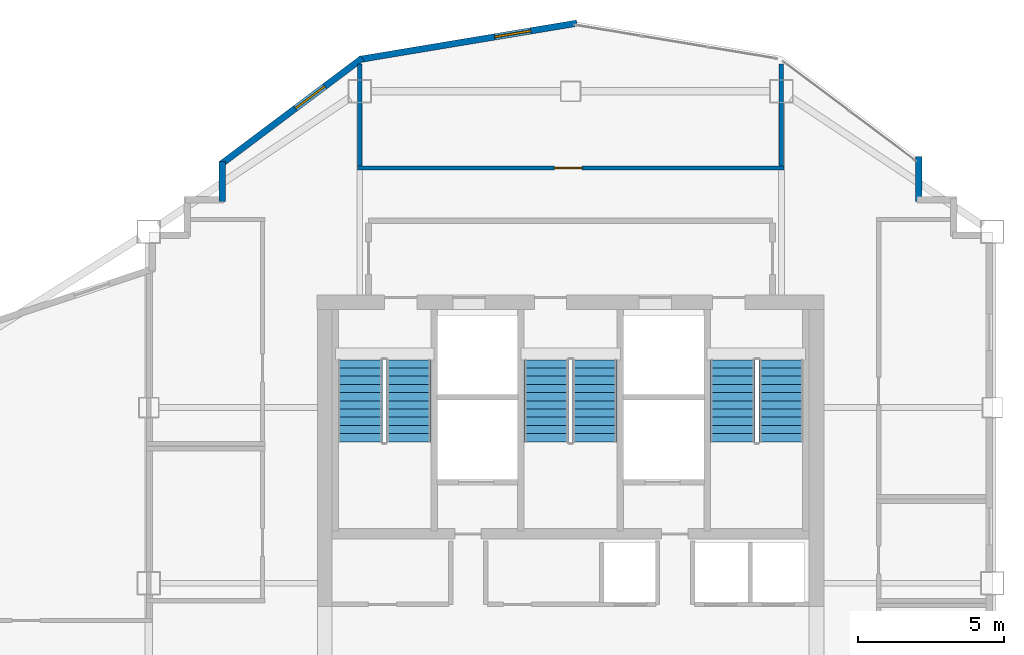
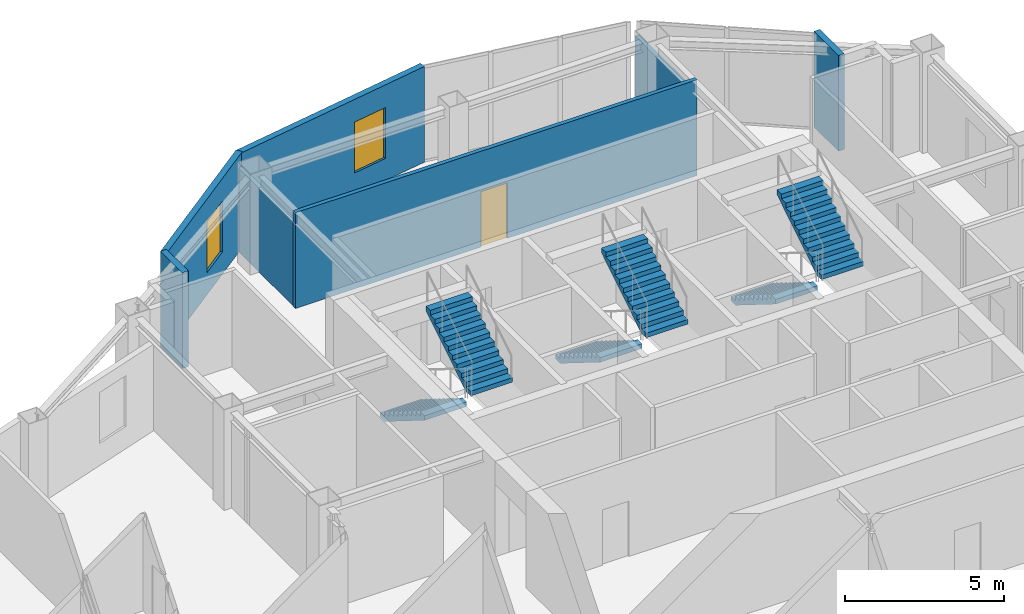
# One storey, part 8 of 10: 7 walls, 6 stair flights, 2 windows, 1 door, 3 openings, 3 elements without a shape of their own.
"""IFC4 building model written with IfcOpenShell, lengths in metres."""

from ifc_helpers import new_model, si_unit, direction, frame, frame_2d, origin, place, context, subcontext, project, spatial, polyline, rectangle, outline, extrude, material, layer, layer_set, type_object, element, fill, aggregate, save


model = new_model("IFC4")

# Units and contexts
model_context = context("Model", 3, precision=1e-05, world=origin(), true_north=direction((0.0, 1.0)))
body_context = subcontext(model_context, "Body", "Model", "MODEL_VIEW")
ifc_project = project(units=[si_unit("LENGTHUNIT", "METRE"), si_unit("AREAUNIT", "SQUARE_METRE"), si_unit("VOLUMEUNIT", "CUBIC_METRE"), si_unit("PLANEANGLEUNIT", "RADIAN"), si_unit("MASSUNIT", "GRAM", prefix="KILO")], contexts=[model_context])

# Site, building, storey
site_placement = place(None, origin())
site = spatial("IfcSite", under=ifc_project, at=site_placement, CompositionType="ELEMENT")
building_placement = place(site_placement, origin())
building = spatial("IfcBuilding", under=site, at=building_placement, Name="Haolan Belvedere Tower", CompositionType="ELEMENT")
storey_placement = place(building_placement, frame((0.0, 0.0, 266.0)))
storey = spatial("IfcBuildingStorey", under=building, at=storey_placement, Name="L67", CompositionType="ELEMENT", Elevation=266.0)

# Wall
ifc_material_1 = material(Name="Precast concrete C40/50", Category="concrete")
ifc_layer_1 = layer(ifc_material_1, 0.219970703125, Name="Precast concrete C40/50")
ifc_layer_set_1 = layer_set([ifc_layer_1], Name="Precast concrete C40/50")
wall_type_1 = type_object("IfcWallType", Name="WL-EXT-220", PredefinedType="SOLIDWALL", material=ifc_layer_set_1)
wall_1_placement = place(storey_placement, frame((50.2900390625, 46.635009765625, 0.0), z_axis=(0.0, 0.0, 1.0), x_axis=(0.0, 1.0, 0.0)))
element("IfcWall", 1, at=wall_1_placement, inside=storey, type_object=wall_type_1, Name="L67 pale-metal exterior spandrel wall 7.1", PredefinedType="SOLIDWALL", context=body_context, shape_type="SweptSolid", body=[
    extrude(rectangle(XDim=1.534912109375, YDim=0.219970703125, at=frame_2d((0.767578125, 0.0))), origin(), (0.0, 0.0, 1.0), 3.669921875),
])

# Wall, opening, window
wall_2_placement = place(storey_placement, frame((38.621826171875, 52.7255859375, 0.0), z_axis=(0.0, 0.0, 1.0), x_axis=(-0.986390420428, -0.164420006349, 0.0)))
wall_2 = element("IfcWall", 2, at=wall_2_placement, inside=storey, type_object=wall_type_1, Name="L67 pale-metal exterior spandrel wall 10.1", PredefinedType="SOLIDWALL", context=body_context, shape_type="SweptSolid", body=[
    extrude(rectangle(XDim=7.5341796875, YDim=0.219970703125, at=frame_2d((3.76708984375, 0.0))), origin(), (0.0, 0.0, 1.0), 3.669921875),
])
opening_1_placement = place(wall_2_placement, frame((1.60009765625, 0.0, 0.85009765625)))
opening_1 = element("IfcOpeningElement", 3, at=opening_1_placement, cuts=wall_2, Name="Opening W-04", PredefinedType="OPENING", context=body_context, shape_type="SweptSolid", body=[
    extrude(rectangle(XDim=1.25, YDim=1.949951171875, at=frame_2d((0.625, 0.97509765625))), frame((0.0, 0.119873046875, 0.0), z_axis=(0.0, -1.0, 0.0), x_axis=(1.0, 0.0, 0.0)), (0.0, 0.0, 1.0), 0.239990234375),
])
ifc_material_2 = material(Name="Anodised aluminium 6063-T6 and Low-E glass", Category="aluminium")
window_type = type_object("IfcWindowType", Name="WN-DECO-Z4", PartitioningType="SINGLE_PANEL", PredefinedType="WINDOW", material=ifc_material_2)
window_1_placement = place(opening_1_placement, origin())
window_1 = element("IfcWindow", 4, at=window_1_placement, inside=storey, type_object=window_type, Name="L67 Art Deco chevron window 1", OverallHeight=1.949951171875, OverallWidth=1.25, PartitioningType="SINGLE_PANEL", PredefinedType="WINDOW", context=body_context, shape_type="SweptSolid", body=[
    extrude(rectangle(XDim=1.25, YDim=1.949951171875, at=frame_2d((0.625, 0.97509765625))), frame((0.0, 0.030029296875, 0.0), z_axis=(0.0, -1.0, 0.0), x_axis=(1.0, 0.0, 0.0)), (0.0, 0.0, 1.0), 0.06005859375),
])
fill(opening_1, window_1)

wall_3_placement = place(storey_placement, frame((31.28857421875, 51.52880859375, 0.0), z_axis=(0.0, 0.0, 1.0), x_axis=(-0.800014580093, -0.599980559383, 0.0)))
wall_3 = element("IfcWall", 5, at=wall_3_placement, inside=storey, type_object=wall_type_1, Name="L67 pale-metal exterior spandrel wall 11.1", PredefinedType="SOLIDWALL", context=body_context, shape_type="SweptSolid", body=[
    extrude(rectangle(XDim=6.028076171875, YDim=0.219970703125, at=frame_2d((3.01416015625, 0.0))), origin(), (0.0, 0.0, 1.0), 3.669921875),
])
opening_2_placement = place(wall_3_placement, frame((1.60009765625, 0.0, 0.85009765625)))
opening_2 = element("IfcOpeningElement", 6, at=opening_2_placement, cuts=wall_3, Name="Opening W-04", PredefinedType="OPENING", context=body_context, shape_type="SweptSolid", body=[
    extrude(rectangle(XDim=1.25, YDim=1.949951171875, at=frame_2d((0.625, 0.97509765625))), frame((0.0, 0.119873046875, 0.0), z_axis=(0.0, -1.0, 0.0), x_axis=(1.0, 0.0, 0.0)), (0.0, 0.0, 1.0), 0.239990234375),
])
window_2_placement = place(opening_2_placement, origin())
window_2 = element("IfcWindow", 7, at=window_2_placement, inside=storey, type_object=window_type, Name="L67 Art Deco chevron window 1", OverallHeight=1.949951171875, OverallWidth=1.25, PartitioningType="SINGLE_PANEL", PredefinedType="WINDOW", context=body_context, shape_type="SweptSolid", body=[
    extrude(rectangle(XDim=1.25, YDim=1.949951171875, at=frame_2d((0.625, 0.97509765625))), frame((0.0, 0.030029296875, 0.0), z_axis=(0.0, -1.0, 0.0), x_axis=(1.0, 0.0, 0.0)), (0.0, 0.0, 1.0), 0.06005859375),
])
fill(opening_2, window_2)

# Wall
wall_4_placement = place(storey_placement, frame((26.510009765625, 48.0, 0.0), z_axis=(0.0, 0.0, 1.0), x_axis=(0.0, -1.0, 0.0)))
element("IfcWall", 8, at=wall_4_placement, inside=storey, type_object=wall_type_1, Name="L67 pale-metal exterior spandrel wall 12.1", PredefinedType="SOLIDWALL", context=body_context, shape_type="SweptSolid", body=[
    extrude(rectangle(XDim=1.364990234375, YDim=0.219970703125, at=frame_2d((0.6826171875, 0.0))), origin(), (0.0, 0.0, 1.0), 3.669921875),
])

# Wall, opening, door
ifc_material_3 = material(Name="Double gypsum acoustic stud partition", Category="masonry")
ifc_layer_2 = layer(ifc_material_3, 0.14990234375, Name="Double gypsum acoustic stud partition")
ifc_layer_set_2 = layer_set([ifc_layer_2], Name="Double gypsum acoustic stud partition")
wall_type_2 = type_object("IfcWallType", Name="WL-PART-150", PredefinedType="PARTITIONING", material=ifc_layer_set_2)
wall_5_placement = place(storey_placement, frame((31.1201171875, 47.780029296875, 0.0), z_axis=(0.0, 0.0, 1.0), x_axis=(1.0, 0.0, 0.0)))
wall_5 = element("IfcWall", 9, at=wall_5_placement, inside=storey, type_object=wall_type_2, Name="L67 interior partition IW-L67-KN2-S", PredefinedType="PARTITIONING", context=body_context, shape_type="SweptSolid", body=[
    extrude(rectangle(XDim=14.559814453125, YDim=0.14990234375, at=frame_2d((7.27978515625, 0.0))), origin(), (0.0, 0.0, 1.0), 3.669921875),
])
opening_3_placement = place(wall_5_placement, frame((6.72509765625, 0.0, 0.0)))
opening_3 = element("IfcOpeningElement", 10, at=opening_3_placement, cuts=wall_5, Name="Opening ID-03", PredefinedType="OPENING", context=body_context, shape_type="SweptSolid", body=[
    extrude(rectangle(XDim=0.949951171875, YDim=2.1201171875, at=frame_2d((0.47509765625, 1.06005859375))), frame((0.0, 0.0849609375, 0.0), z_axis=(0.0, -1.0, 0.0), x_axis=(1.0, 0.0, 0.0)), (0.0, 0.0, 1.0), 0.169921875),
])
ifc_material_4 = material(Name="Painted solid-core timber", Category="wood")
door_type = type_object("IfcDoorType", Name="DR-INT-950", OperationType="NOTDEFINED", PredefinedType="DOOR", material=ifc_material_4)
door_placement = place(opening_3_placement, origin())
door = element("IfcDoor", 11, at=door_placement, inside=storey, type_object=door_type, Name="L67 door ID-L67-KN2", OperationType="SINGLE_SWING_LEFT", OverallHeight=2.1201171875, OverallWidth=0.949951171875, PredefinedType="DOOR", context=body_context, shape_type="SweptSolid", body=[
    extrude(rectangle(XDim=0.949951171875, YDim=2.1201171875, at=frame_2d((0.47509765625, 1.06005859375))), frame((0.0, 0.02490234375, 0.0), z_axis=(0.0, -1.0, 0.0), x_axis=(1.0, 0.0, 0.0)), (0.0, 0.0, 1.0), 0.050048828125),
])
fill(opening_3, door)

# Walls
for number, where, z_axis, x_axis, name in (
    (12, (31.199951171875, 47.840087890625, 0.0), (0.0, 0.0, 1.0), (0.0, 1.0, 0.0), "L67 interior partition IW-L67-KN2-W"),
    (13, (45.60009765625, 47.840087890625, 0.0), (0.0, 0.0, 1.0), (0.0, 1.0, 0.0), "L67 interior partition IW-L67-KN2-E"),
):
    element("IfcWall", number, at=place(storey_placement, frame(where, z_axis=z_axis, x_axis=x_axis)), inside=storey, type_object=wall_type_2, Name=name, PredefinedType="PARTITIONING", context=body_context, shape_type="SweptSolid", body=[
        extrude(rectangle(XDim=3.494873046875, YDim=0.14990234375, at=frame_2d((1.74755859375, 0.0))), origin(), (0.0, 0.0, 1.0), 3.205078125),
    ])

# Stair, stair flights
ifc_material_5 = material(Name="Concrete C40/50", Category="concrete")
stair_type = type_object("IfcStairType", Name="STR-DL-22R-175", PredefinedType="HALF_TURN_STAIR", material=ifc_material_5)
stair_1_placement = place(storey_placement, origin())
stair_1 = element("IfcStair", 14, at=stair_1_placement, inside=storey, type_object=stair_type, Name="L67 Smokeproof Core Exit Stair ST1", PredefinedType="HALF_TURN_STAIR")
stair_flight_type = type_object("IfcStairFlightType", Name="SFL-DL-11R-175", PredefinedType="STRAIGHT", material=ifc_material_5)
stair_flight_1_placement = place(storey_placement, frame((31.2099609375, 41.22998046875, 0.0), z_axis=(0.0, 0.0, 1.0), x_axis=(0.0, -1.0, 0.0)))
stair_flight_1 = element("IfcStairFlight", 15, at=stair_flight_1_placement, type_object=stair_flight_type, Name="ST1 flight 1", NumberOfRisers=11, NumberOfTreads=10, PredefinedType="STRAIGHT", RiserHeight=0.175, TreadLength=0.28, context=body_context, shape_type="SweptSolid", body=[
    extrude(outline(polyline([(0.0, 0.0), (0.0, 0.175048828125), (0.280029296875, 0.175048828125), (0.280029296875, 0.35009765625), (0.56005859375, 0.35009765625), (0.56005859375, 0.52490234375), (0.840087890625, 0.52490234375), (0.840087890625, 0.699951171875), (1.1201171875, 0.699951171875), (1.1201171875, 0.875), (1.39990234375, 0.875), (1.39990234375, 1.050048828125), (1.679931640625, 1.050048828125), (1.679931640625, 1.22509765625), (1.9599609375, 1.22509765625), (1.9599609375, 1.39990234375), (2.239990234375, 1.39990234375), (2.239990234375, 1.574951171875), (2.52001953125, 1.574951171875), (2.52001953125, 1.75), (2.800048828125, 1.75), (2.800048828125, 1.925048828125), (2.800048828125, 1.5732421875), (0.28271484375, 0.0), (0.0, 0.0)])), frame((0.0, 0.760009765625, 0.0), z_axis=(0.0, -1.0, 0.0), x_axis=(1.0, 0.0, 0.0)), (0.0, 0.0, 1.0), 1.52001953125),
])
stair_flight_2_placement = place(storey_placement, frame((32.8701171875, 38.429931640625, 1.925048828125), z_axis=(0.0, 0.0, 1.0), x_axis=(0.0, 1.0, 0.0)))
stair_flight_2 = element("IfcStairFlight", 16, at=stair_flight_2_placement, type_object=stair_flight_type, Name="ST1 flight 2", NumberOfRisers=11, NumberOfTreads=10, PredefinedType="STRAIGHT", RiserHeight=0.175, TreadLength=0.28, context=body_context, shape_type="SweptSolid", body=[
    extrude(outline(polyline([(0.0, 0.0), (0.0, 0.175048828125), (0.280029296875, 0.175048828125), (0.280029296875, 0.35009765625), (0.56005859375, 0.35009765625), (0.56005859375, 0.52490234375), (0.840087890625, 0.52490234375), (0.840087890625, 0.699951171875), (1.1201171875, 0.699951171875), (1.1201171875, 0.875), (1.39990234375, 0.875), (1.39990234375, 1.050048828125), (1.679931640625, 1.050048828125), (1.679931640625, 1.22509765625), (1.9599609375, 1.22509765625), (1.9599609375, 1.39990234375), (2.239990234375, 1.39990234375), (2.239990234375, 1.574951171875), (2.52001953125, 1.574951171875), (2.52001953125, 1.75), (2.800048828125, 1.75), (2.800048828125, 1.925048828125), (2.800048828125, 1.5732421875), (0.28271484375, 0.0), (0.0, 0.0)])), frame((0.0, 0.760009765625, 0.0), z_axis=(0.0, -1.0, 0.0), x_axis=(1.0, 0.0, 0.0)), (0.0, 0.0, 1.0), 1.52001953125),
])
aggregate(stair_1, [stair_flight_1, stair_flight_2])

stair_2_placement = place(storey_placement, origin())
stair_2 = element("IfcStair", 17, at=stair_2_placement, inside=storey, type_object=stair_type, Name="L67 Smokeproof Core Exit Stair ST3", PredefinedType="HALF_TURN_STAIR")
stair_flight_3_placement = place(storey_placement, frame((37.570068359375, 41.22998046875, 0.0), z_axis=(0.0, 0.0, 1.0), x_axis=(0.0, -1.0, 0.0)))
stair_flight_3 = element("IfcStairFlight", 18, at=stair_flight_3_placement, type_object=stair_flight_type, Name="ST3 flight 1", NumberOfRisers=11, NumberOfTreads=10, PredefinedType="STRAIGHT", RiserHeight=0.175, TreadLength=0.28, context=body_context, shape_type="SweptSolid", body=[
    extrude(outline(polyline([(0.0, 0.0), (0.0, 0.175048828125), (0.280029296875, 0.175048828125), (0.280029296875, 0.35009765625), (0.56005859375, 0.35009765625), (0.56005859375, 0.52490234375), (0.840087890625, 0.52490234375), (0.840087890625, 0.699951171875), (1.1201171875, 0.699951171875), (1.1201171875, 0.875), (1.39990234375, 0.875), (1.39990234375, 1.050048828125), (1.679931640625, 1.050048828125), (1.679931640625, 1.22509765625), (1.9599609375, 1.22509765625), (1.9599609375, 1.39990234375), (2.239990234375, 1.39990234375), (2.239990234375, 1.574951171875), (2.52001953125, 1.574951171875), (2.52001953125, 1.75), (2.800048828125, 1.75), (2.800048828125, 1.925048828125), (2.800048828125, 1.5732421875), (0.28271484375, 0.0), (0.0, 0.0)])), frame((0.0, 0.760009765625, 0.0), z_axis=(0.0, -1.0, 0.0), x_axis=(1.0, 0.0, 0.0)), (0.0, 0.0, 1.0), 1.52001953125),
])
stair_flight_4_placement = place(storey_placement, frame((39.22998046875, 38.429931640625, 1.925048828125), z_axis=(0.0, 0.0, 1.0), x_axis=(0.0, 1.0, 0.0)))
stair_flight_4 = element("IfcStairFlight", 19, at=stair_flight_4_placement, type_object=stair_flight_type, Name="ST3 flight 2", NumberOfRisers=11, NumberOfTreads=10, PredefinedType="STRAIGHT", RiserHeight=0.175, TreadLength=0.28, context=body_context, shape_type="SweptSolid", body=[
    extrude(outline(polyline([(0.0, 0.0), (0.0, 0.175048828125), (0.280029296875, 0.175048828125), (0.280029296875, 0.35009765625), (0.56005859375, 0.35009765625), (0.56005859375, 0.52490234375), (0.840087890625, 0.52490234375), (0.840087890625, 0.699951171875), (1.1201171875, 0.699951171875), (1.1201171875, 0.875), (1.39990234375, 0.875), (1.39990234375, 1.050048828125), (1.679931640625, 1.050048828125), (1.679931640625, 1.22509765625), (1.9599609375, 1.22509765625), (1.9599609375, 1.39990234375), (2.239990234375, 1.39990234375), (2.239990234375, 1.574951171875), (2.52001953125, 1.574951171875), (2.52001953125, 1.75), (2.800048828125, 1.75), (2.800048828125, 1.925048828125), (2.800048828125, 1.5732421875), (0.28271484375, 0.0), (0.0, 0.0)])), frame((0.0, 0.760009765625, 0.0), z_axis=(0.0, -1.0, 0.0), x_axis=(1.0, 0.0, 0.0)), (0.0, 0.0, 1.0), 1.52001953125),
])
aggregate(stair_2, [stair_flight_3, stair_flight_4])

stair_3_placement = place(storey_placement, origin())
stair_3 = element("IfcStair", 20, at=stair_3_placement, inside=storey, type_object=stair_type, Name="L67 Smokeproof Core Exit Stair ST2", PredefinedType="HALF_TURN_STAIR")
stair_flight_5_placement = place(storey_placement, frame((43.929931640625, 41.22998046875, 0.0), z_axis=(0.0, 0.0, 1.0), x_axis=(0.0, -1.0, 0.0)))
stair_flight_5 = element("IfcStairFlight", 21, at=stair_flight_5_placement, type_object=stair_flight_type, Name="ST2 flight 1", NumberOfRisers=11, NumberOfTreads=10, PredefinedType="STRAIGHT", RiserHeight=0.175, TreadLength=0.28, context=body_context, shape_type="SweptSolid", body=[
    extrude(outline(polyline([(0.0, 0.0), (0.0, 0.175048828125), (0.280029296875, 0.175048828125), (0.280029296875, 0.35009765625), (0.56005859375, 0.35009765625), (0.56005859375, 0.52490234375), (0.840087890625, 0.52490234375), (0.840087890625, 0.699951171875), (1.1201171875, 0.699951171875), (1.1201171875, 0.875), (1.39990234375, 0.875), (1.39990234375, 1.050048828125), (1.679931640625, 1.050048828125), (1.679931640625, 1.22509765625), (1.9599609375, 1.22509765625), (1.9599609375, 1.39990234375), (2.239990234375, 1.39990234375), (2.239990234375, 1.574951171875), (2.52001953125, 1.574951171875), (2.52001953125, 1.75), (2.800048828125, 1.75), (2.800048828125, 1.925048828125), (2.800048828125, 1.5732421875), (0.28271484375, 0.0), (0.0, 0.0)])), frame((0.0, 0.760009765625, 0.0), z_axis=(0.0, -1.0, 0.0), x_axis=(1.0, 0.0, 0.0)), (0.0, 0.0, 1.0), 1.52001953125),
])
stair_flight_6_placement = place(storey_placement, frame((45.590087890625, 38.429931640625, 1.925048828125), z_axis=(0.0, 0.0, 1.0), x_axis=(0.0, 1.0, 0.0)))
stair_flight_6 = element("IfcStairFlight", 22, at=stair_flight_6_placement, type_object=stair_flight_type, Name="ST2 flight 2", NumberOfRisers=11, NumberOfTreads=10, PredefinedType="STRAIGHT", RiserHeight=0.175, TreadLength=0.28, context=body_context, shape_type="SweptSolid", body=[
    extrude(outline(polyline([(0.0, 0.0), (0.0, 0.175048828125), (0.280029296875, 0.175048828125), (0.280029296875, 0.35009765625), (0.56005859375, 0.35009765625), (0.56005859375, 0.52490234375), (0.840087890625, 0.52490234375), (0.840087890625, 0.699951171875), (1.1201171875, 0.699951171875), (1.1201171875, 0.875), (1.39990234375, 0.875), (1.39990234375, 1.050048828125), (1.679931640625, 1.050048828125), (1.679931640625, 1.22509765625), (1.9599609375, 1.22509765625), (1.9599609375, 1.39990234375), (2.239990234375, 1.39990234375), (2.239990234375, 1.574951171875), (2.52001953125, 1.574951171875), (2.52001953125, 1.75), (2.800048828125, 1.75), (2.800048828125, 1.925048828125), (2.800048828125, 1.5732421875), (0.28271484375, 0.0), (0.0, 0.0)])), frame((0.0, 0.760009765625, 0.0), z_axis=(0.0, -1.0, 0.0), x_axis=(1.0, 0.0, 0.0)), (0.0, 0.0, 1.0), 1.52001953125),
])
aggregate(stair_3, [stair_flight_5, stair_flight_6])

save(model, "model.ifc")
